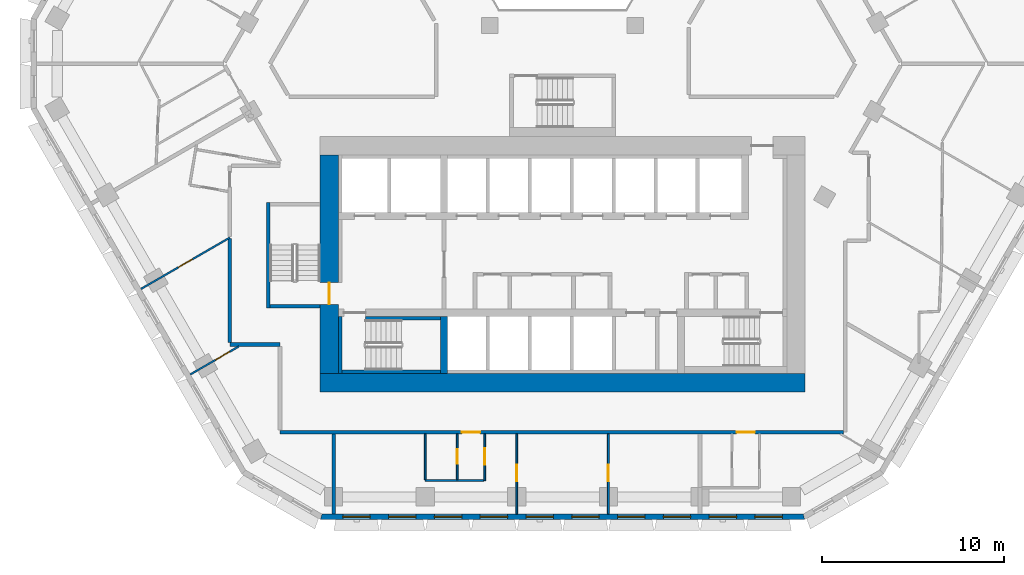
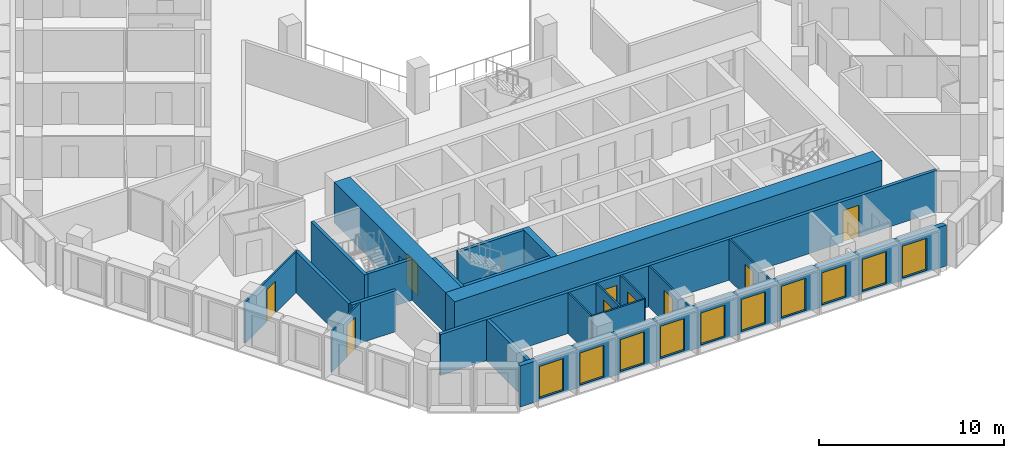
# One storey, part 3 of 18: 21 walls, 10 windows, 9 doors, 19 openings.
"""IFC4 building model written with IfcOpenShell, lengths in metres."""

from ifc_helpers import new_model, si_unit, direction, frame, frame_2d, origin, place, context, subcontext, project, spatial, polyline, rectangle, outline, extrude, material, layer, layer_set, type_object, element, fill, save


model = new_model("IFC4")

# Units and contexts
model_context = context("Model", 3, precision=1e-05, world=origin(), true_north=direction((0.0, 1.0)))
body_context = subcontext(model_context, "Body", "Model", "MODEL_VIEW")
ifc_project = project(units=[si_unit("LENGTHUNIT", "METRE"), si_unit("AREAUNIT", "SQUARE_METRE"), si_unit("VOLUMEUNIT", "CUBIC_METRE"), si_unit("PLANEANGLEUNIT", "RADIAN"), si_unit("MASSUNIT", "GRAM", prefix="KILO")], contexts=[model_context])

# Site, building, storey
site_placement = place(None, origin())
site = spatial("IfcSite", under=ifc_project, at=site_placement, CompositionType="ELEMENT")
building_placement = place(site_placement, origin())
building = spatial("IfcBuilding", under=site, at=building_placement, Name="Beryl Residences", CompositionType="ELEMENT")
storey_placement = place(building_placement, frame((0.0, 0.0, 93.0)))
storey = spatial("IfcBuildingStorey", under=building, at=storey_placement, Name="L28", CompositionType="ELEMENT", Elevation=93.0)

# Wall, openings, windows
ifc_material_1 = material(Name="Composite metal panel with mineral wool insulation")
ifc_layer_1 = layer(ifc_material_1, 0.300048828125)
ifc_layer_set_1 = layer_set([ifc_layer_1], Name="ES1 pale metal composite panel wall 300 mm")
wall_type_1 = type_object("IfcWallType", Name="ES1 pale metal composite panel wall 300 mm", PredefinedType="SOLIDWALL", material=ifc_layer_set_1)
wall_1_placement = place(storey_placement, frame((-13.279052734375, -25.85009765625, 0.0), z_axis=(0.0, 0.0, 1.0), x_axis=(1.0, 0.0, 0.0)))
wall_1 = element("IfcWall", 1, at=wall_1_placement, inside=storey, type_object=wall_type_1, Name="ES1 external wall L28 S", PredefinedType="SOLIDWALL", context=body_context, shape_type="SweptSolid", body=[
    extrude(outline(polyline([(0.0, -0.14990234375), (26.55810546875, -0.14990234375), (26.477783203125, 0.14990234375), (0.080322265625, 0.14990234375), (0.0, -0.14990234375)])), origin(), (0.0, 0.0, 1.0), 2.699951171875),
])
opening_1_placement = place(wall_1_placement, frame((1.22802734375, 0.0, 0.14990234375)))
opening_1 = element("IfcOpeningElement", 2, at=opening_1_placement, cuts=wall_1, Name="Opening W1", PredefinedType="OPENING", context=body_context, shape_type="SweptSolid", body=[
    extrude(rectangle(XDim=1.5, YDim=2.10009765625, at=frame_2d((0.75, 1.050048828125))), frame((0.0, 0.159912109375, 0.0), z_axis=(0.0, -1.0, 0.0), x_axis=(1.0, 0.0, 0.0)), (0.0, 0.0, 1.0), 0.320068359375),
])
opening_2_placement = place(wall_1_placement, frame((3.739013671875, 0.0, 0.14990234375)))
opening_2 = element("IfcOpeningElement", 3, at=opening_2_placement, cuts=wall_1, Name="Opening W1", PredefinedType="OPENING", context=body_context, shape_type="SweptSolid", body=[
    extrude(rectangle(XDim=1.5, YDim=2.10009765625, at=frame_2d((0.75, 1.050048828125))), frame((0.0, 0.159912109375, 0.0), z_axis=(0.0, -1.0, 0.0), x_axis=(1.0, 0.0, 0.0)), (0.0, 0.0, 1.0), 0.320068359375),
])
opening_3_placement = place(wall_1_placement, frame((6.2509765625, 0.0, 0.14990234375)))
opening_3 = element("IfcOpeningElement", 4, at=opening_3_placement, cuts=wall_1, Name="Opening W1", PredefinedType="OPENING", context=body_context, shape_type="SweptSolid", body=[
    extrude(rectangle(XDim=1.5, YDim=2.10009765625, at=frame_2d((0.75, 1.050048828125))), frame((0.0, 0.159912109375, 0.0), z_axis=(0.0, -1.0, 0.0), x_axis=(1.0, 0.0, 0.0)), (0.0, 0.0, 1.0), 0.320068359375),
])
opening_4_placement = place(wall_1_placement, frame((8.761962890625, 0.0, 0.14990234375)))
opening_4 = element("IfcOpeningElement", 5, at=opening_4_placement, cuts=wall_1, Name="Opening W1", PredefinedType="OPENING", context=body_context, shape_type="SweptSolid", body=[
    extrude(rectangle(XDim=1.5, YDim=2.10009765625, at=frame_2d((0.75, 1.050048828125))), frame((0.0, 0.159912109375, 0.0), z_axis=(0.0, -1.0, 0.0), x_axis=(1.0, 0.0, 0.0)), (0.0, 0.0, 1.0), 0.320068359375),
])
opening_5_placement = place(wall_1_placement, frame((11.27392578125, 0.0, 0.14990234375)))
opening_5 = element("IfcOpeningElement", 6, at=opening_5_placement, cuts=wall_1, Name="Opening W1", PredefinedType="OPENING", context=body_context, shape_type="SweptSolid", body=[
    extrude(rectangle(XDim=1.5, YDim=2.10009765625, at=frame_2d((0.75, 1.050048828125))), frame((0.0, 0.159912109375, 0.0), z_axis=(0.0, -1.0, 0.0), x_axis=(1.0, 0.0, 0.0)), (0.0, 0.0, 1.0), 0.320068359375),
])
opening_6_placement = place(wall_1_placement, frame((13.784912109375, 0.0, 0.14990234375)))
opening_6 = element("IfcOpeningElement", 7, at=opening_6_placement, cuts=wall_1, Name="Opening W1", PredefinedType="OPENING", context=body_context, shape_type="SweptSolid", body=[
    extrude(rectangle(XDim=1.5, YDim=2.10009765625, at=frame_2d((0.75, 1.050048828125))), frame((0.0, 0.159912109375, 0.0), z_axis=(0.0, -1.0, 0.0), x_axis=(1.0, 0.0, 0.0)), (0.0, 0.0, 1.0), 0.320068359375),
])
opening_7_placement = place(wall_1_placement, frame((16.297119140625, 0.0, 0.14990234375)))
opening_7 = element("IfcOpeningElement", 8, at=opening_7_placement, cuts=wall_1, Name="Opening W1", PredefinedType="OPENING", context=body_context, shape_type="SweptSolid", body=[
    extrude(rectangle(XDim=1.5, YDim=2.10009765625, at=frame_2d((0.75, 1.050048828125))), frame((0.0, 0.159912109375, 0.0), z_axis=(0.0, -1.0, 0.0), x_axis=(1.0, 0.0, 0.0)), (0.0, 0.0, 1.0), 0.320068359375),
])
opening_8_placement = place(wall_1_placement, frame((18.80810546875, 0.0, 0.14990234375)))
opening_8 = element("IfcOpeningElement", 9, at=opening_8_placement, cuts=wall_1, Name="Opening W1", PredefinedType="OPENING", context=body_context, shape_type="SweptSolid", body=[
    extrude(rectangle(XDim=1.5, YDim=2.10009765625, at=frame_2d((0.75, 1.050048828125))), frame((0.0, 0.159912109375, 0.0), z_axis=(0.0, -1.0, 0.0), x_axis=(1.0, 0.0, 0.0)), (0.0, 0.0, 1.0), 0.320068359375),
])
opening_9_placement = place(wall_1_placement, frame((21.320068359375, 0.0, 0.14990234375)))
opening_9 = element("IfcOpeningElement", 10, at=opening_9_placement, cuts=wall_1, Name="Opening W1", PredefinedType="OPENING", context=body_context, shape_type="SweptSolid", body=[
    extrude(rectangle(XDim=1.5, YDim=2.10009765625, at=frame_2d((0.75, 1.050048828125))), frame((0.0, 0.159912109375, 0.0), z_axis=(0.0, -1.0, 0.0), x_axis=(1.0, 0.0, 0.0)), (0.0, 0.0, 1.0), 0.320068359375),
])
opening_10_placement = place(wall_1_placement, frame((23.8310546875, 0.0, 0.14990234375)))
opening_10 = element("IfcOpeningElement", 11, at=opening_10_placement, cuts=wall_1, Name="Opening W1", PredefinedType="OPENING", context=body_context, shape_type="SweptSolid", body=[
    extrude(rectangle(XDim=1.5, YDim=2.10009765625, at=frame_2d((0.75, 1.050048828125))), frame((0.0, 0.159912109375, 0.0), z_axis=(0.0, -1.0, 0.0), x_axis=(1.0, 0.0, 0.0)), (0.0, 0.0, 1.0), 0.320068359375),
])
ifc_material_2 = material(Name="Aluminium and clear glass", Category="aluminium")
window_type = type_object("IfcWindowType", Name="W1 cell window 1500 x 2100 mm", PartitioningType="SINGLE_PANEL", PredefinedType="WINDOW", material=ifc_material_2)
window_1_placement = place(opening_1_placement, origin())
window_1 = element("IfcWindow", 12, at=window_1_placement, inside=storey, type_object=window_type, Name="W1 window L28 S 1", OverallHeight=2.10009765625, OverallWidth=1.5, PartitioningType="SINGLE_PANEL", PredefinedType="WINDOW", context=body_context, shape_type="SweptSolid", body=[
    extrude(rectangle(XDim=1.5, YDim=2.10009765625, at=frame_2d((0.75, 1.050048828125))), frame((0.0, 0.030029296875, 0.0), z_axis=(0.0, -1.0, 0.0), x_axis=(1.0, 0.0, 0.0)), (0.0, 0.0, 1.0), 0.06005859375),
])
fill(opening_1, window_1)
window_2_placement = place(opening_2_placement, origin())
window_2 = element("IfcWindow", 13, at=window_2_placement, inside=storey, type_object=window_type, Name="W1 window L28 S 2", OverallHeight=2.10009765625, OverallWidth=1.5, PartitioningType="SINGLE_PANEL", PredefinedType="WINDOW", context=body_context, shape_type="SweptSolid", body=[
    extrude(rectangle(XDim=1.5, YDim=2.10009765625, at=frame_2d((0.75, 1.050048828125))), frame((0.0, 0.030029296875, 0.0), z_axis=(0.0, -1.0, 0.0), x_axis=(1.0, 0.0, 0.0)), (0.0, 0.0, 1.0), 0.06005859375),
])
fill(opening_2, window_2)
window_3_placement = place(opening_3_placement, origin())
window_3 = element("IfcWindow", 14, at=window_3_placement, inside=storey, type_object=window_type, Name="W1 window L28 S 3", OverallHeight=2.10009765625, OverallWidth=1.5, PartitioningType="SINGLE_PANEL", PredefinedType="WINDOW", context=body_context, shape_type="SweptSolid", body=[
    extrude(rectangle(XDim=1.5, YDim=2.10009765625, at=frame_2d((0.75, 1.050048828125))), frame((0.0, 0.030029296875, 0.0), z_axis=(0.0, -1.0, 0.0), x_axis=(1.0, 0.0, 0.0)), (0.0, 0.0, 1.0), 0.06005859375),
])
fill(opening_3, window_3)
window_4_placement = place(opening_4_placement, origin())
window_4 = element("IfcWindow", 15, at=window_4_placement, inside=storey, type_object=window_type, Name="W1 window L28 S 4", OverallHeight=2.10009765625, OverallWidth=1.5, PartitioningType="SINGLE_PANEL", PredefinedType="WINDOW", context=body_context, shape_type="SweptSolid", body=[
    extrude(rectangle(XDim=1.5, YDim=2.10009765625, at=frame_2d((0.75, 1.050048828125))), frame((0.0, 0.030029296875, 0.0), z_axis=(0.0, -1.0, 0.0), x_axis=(1.0, 0.0, 0.0)), (0.0, 0.0, 1.0), 0.06005859375),
])
fill(opening_4, window_4)
window_5_placement = place(opening_5_placement, origin())
window_5 = element("IfcWindow", 16, at=window_5_placement, inside=storey, type_object=window_type, Name="W1 window L28 S 5", OverallHeight=2.10009765625, OverallWidth=1.5, PartitioningType="SINGLE_PANEL", PredefinedType="WINDOW", context=body_context, shape_type="SweptSolid", body=[
    extrude(rectangle(XDim=1.5, YDim=2.10009765625, at=frame_2d((0.75, 1.050048828125))), frame((0.0, 0.030029296875, 0.0), z_axis=(0.0, -1.0, 0.0), x_axis=(1.0, 0.0, 0.0)), (0.0, 0.0, 1.0), 0.06005859375),
])
fill(opening_5, window_5)
window_6_placement = place(opening_6_placement, origin())
window_6 = element("IfcWindow", 17, at=window_6_placement, inside=storey, type_object=window_type, Name="W1 window L28 S 6", OverallHeight=2.10009765625, OverallWidth=1.5, PartitioningType="SINGLE_PANEL", PredefinedType="WINDOW", context=body_context, shape_type="SweptSolid", body=[
    extrude(rectangle(XDim=1.5, YDim=2.10009765625, at=frame_2d((0.75, 1.050048828125))), frame((0.0, 0.030029296875, 0.0), z_axis=(0.0, -1.0, 0.0), x_axis=(1.0, 0.0, 0.0)), (0.0, 0.0, 1.0), 0.06005859375),
])
fill(opening_6, window_6)
window_7_placement = place(opening_7_placement, origin())
window_7 = element("IfcWindow", 18, at=window_7_placement, inside=storey, type_object=window_type, Name="W1 window L28 S 7", OverallHeight=2.10009765625, OverallWidth=1.5, PartitioningType="SINGLE_PANEL", PredefinedType="WINDOW", context=body_context, shape_type="SweptSolid", body=[
    extrude(rectangle(XDim=1.5, YDim=2.10009765625, at=frame_2d((0.75, 1.050048828125))), frame((0.0, 0.030029296875, 0.0), z_axis=(0.0, -1.0, 0.0), x_axis=(1.0, 0.0, 0.0)), (0.0, 0.0, 1.0), 0.06005859375),
])
fill(opening_7, window_7)
window_8_placement = place(opening_8_placement, origin())
window_8 = element("IfcWindow", 19, at=window_8_placement, inside=storey, type_object=window_type, Name="W1 window L28 S 8", OverallHeight=2.10009765625, OverallWidth=1.5, PartitioningType="SINGLE_PANEL", PredefinedType="WINDOW", context=body_context, shape_type="SweptSolid", body=[
    extrude(rectangle(XDim=1.5, YDim=2.10009765625, at=frame_2d((0.75, 1.050048828125))), frame((0.0, 0.030029296875, 0.0), z_axis=(0.0, -1.0, 0.0), x_axis=(1.0, 0.0, 0.0)), (0.0, 0.0, 1.0), 0.06005859375),
])
fill(opening_8, window_8)
window_9_placement = place(opening_9_placement, origin())
window_9 = element("IfcWindow", 20, at=window_9_placement, inside=storey, type_object=window_type, Name="W1 window L28 S 9", OverallHeight=2.10009765625, OverallWidth=1.5, PartitioningType="SINGLE_PANEL", PredefinedType="WINDOW", context=body_context, shape_type="SweptSolid", body=[
    extrude(rectangle(XDim=1.5, YDim=2.10009765625, at=frame_2d((0.75, 1.050048828125))), frame((0.0, 0.030029296875, 0.0), z_axis=(0.0, -1.0, 0.0), x_axis=(1.0, 0.0, 0.0)), (0.0, 0.0, 1.0), 0.06005859375),
])
fill(opening_9, window_9)
window_10_placement = place(opening_10_placement, origin())
window_10 = element("IfcWindow", 21, at=window_10_placement, inside=storey, type_object=window_type, Name="W1 window L28 S 10", OverallHeight=2.10009765625, OverallWidth=1.5, PartitioningType="SINGLE_PANEL", PredefinedType="WINDOW", context=body_context, shape_type="SweptSolid", body=[
    extrude(rectangle(XDim=1.5, YDim=2.10009765625, at=frame_2d((0.75, 1.050048828125))), frame((0.0, 0.030029296875, 0.0), z_axis=(0.0, -1.0, 0.0), x_axis=(1.0, 0.0, 0.0)), (0.0, 0.0, 1.0), 0.06005859375),
])
fill(opening_10, window_10)

# Wall
ifc_material_3 = material(Name="Gypsum board partition on steel studs", Category="steel")
ifc_layer_2 = layer(ifc_material_3, 0.10009765625)
ifc_layer_set_2 = layer_set([ifc_layer_2], Name="PT1 partition 100 mm gypsum board on steel studs")
wall_type_2 = type_object("IfcWallType", Name="PT1 partition 100 mm gypsum board on steel studs", PredefinedType="PARTITIONING", material=ifc_layer_set_2)
wall_2_placement = place(storey_placement, frame((-7.533935546875, -21.300048828125, 0.0), z_axis=(0.0, 0.0, 1.0), x_axis=(0.0, -1.0, 0.0)))
element("IfcWall", 22, at=wall_2_placement, inside=storey, type_object=wall_type_2, Name="Wall PT1 L28 009", PredefinedType="PARTITIONING", context=body_context, shape_type="SweptSolid", body=[
    extrude(rectangle(XDim=2.509033203125, YDim=0.10009765625, at=frame_2d((1.25439453125, 0.0))), origin(), (0.0, 0.0, 1.0), 2.699951171875),
])

# Wall, opening, door
wall_3_placement = place(storey_placement, frame((-2.510986328125, -21.300048828125, 0.0), z_axis=(0.0, 0.0, 1.0), x_axis=(0.0, -1.0, 0.0)))
wall_3 = element("IfcWall", 23, at=wall_3_placement, inside=storey, type_object=wall_type_2, Name="Wall PT1 L28 010", PredefinedType="PARTITIONING", context=body_context, shape_type="SweptSolid", body=[
    extrude(rectangle(XDim=4.39990234375, YDim=0.10009765625, at=frame_2d((2.199951171875, 0.0))), origin(), (0.0, 0.0, 1.0), 2.699951171875),
])
opening_11_placement = place(wall_3_placement, frame((1.699951171875, 0.0, 0.0)))
opening_11 = element("IfcOpeningElement", 24, at=opening_11_placement, cuts=wall_3, Name="Opening D0709", PredefinedType="OPENING", context=body_context, shape_type="SweptSolid", body=[
    extrude(rectangle(XDim=0.89990234375, YDim=2.10009765625, at=frame_2d((0.449951171875, 1.050048828125))), frame((0.0, 0.06005859375, 0.0), z_axis=(0.0, -1.0, 0.0), x_axis=(1.0, 0.0, 0.0)), (0.0, 0.0, 1.0), 0.1201171875),
])
ifc_material_4 = material(Name="Timber door leaf", Category="wood")
door_type_1 = type_object("IfcDoorType", Name="D2 room door 900 x 2100 mm", OperationType="SINGLE_SWING_LEFT", PredefinedType="DOOR", material=ifc_material_4)
door_1_placement = place(opening_11_placement, origin())
door_1 = element("IfcDoor", 25, at=door_1_placement, inside=storey, type_object=door_type_1, Name="Door D0709 L28 001", OperationType="SINGLE_SWING_LEFT", OverallHeight=2.10009765625, OverallWidth=0.89990234375, PredefinedType="DOOR", context=body_context, shape_type="SweptSolid", body=[
    extrude(rectangle(XDim=0.89990234375, YDim=2.10009765625, at=frame_2d((0.449951171875, 1.050048828125))), frame((0.0, 0.02490234375, 0.0), z_axis=(0.0, -1.0, 0.0), x_axis=(1.0, 0.0, 0.0)), (0.0, 0.0, 1.0), 0.050048828125),
])
fill(opening_11, door_1)

# Wall
wall_4_placement = place(storey_placement, frame((-7.532958984375, -23.860107421875, 0.0), z_axis=(0.0, 0.0, 1.0), x_axis=(1.0, 0.0, 0.0)))
element("IfcWall", 26, at=wall_4_placement, inside=storey, type_object=wall_type_2, Name="Wall PT1 L28 027", PredefinedType="PARTITIONING", context=body_context, shape_type="SweptSolid", body=[
    extrude(rectangle(XDim=3.212890625, YDim=0.10009765625, at=frame_2d((1.6064453125, 0.0))), origin(), (0.0, 0.0, 1.0), 2.699951171875),
])

# Wall, opening, door
wall_5_placement = place(storey_placement, frame((2.511962890625, -25.699951171875, 0.0), z_axis=(0.0, 0.0, 1.0), x_axis=(0.0, 1.0, 0.0)))
wall_5 = element("IfcWall", 27, at=wall_5_placement, inside=storey, type_object=wall_type_2, Name="Wall PT1 L28 044", PredefinedType="PARTITIONING", context=body_context, shape_type="SweptSolid", body=[
    extrude(rectangle(XDim=4.39990234375, YDim=0.10009765625, at=frame_2d((2.199951171875, 0.0))), origin(), (0.0, 0.0, 1.0), 2.699951171875),
])
opening_12_placement = place(wall_5_placement, frame((1.800048828125, 0.0, 0.0)))
opening_12 = element("IfcOpeningElement", 28, at=opening_12_placement, cuts=wall_5, Name="Opening D0710", PredefinedType="OPENING", context=body_context, shape_type="SweptSolid", body=[
    extrude(rectangle(XDim=0.89990234375, YDim=2.10009765625, at=frame_2d((0.449951171875, 1.050048828125))), frame((0.0, 0.06005859375, 0.0), z_axis=(0.0, -1.0, 0.0), x_axis=(1.0, 0.0, 0.0)), (0.0, 0.0, 1.0), 0.1201171875),
])
door_2_placement = place(opening_12_placement, origin())
door_2 = element("IfcDoor", 29, at=door_2_placement, inside=storey, type_object=door_type_1, Name="Door D0710 L28 001", OperationType="SINGLE_SWING_RIGHT", OverallHeight=2.10009765625, OverallWidth=0.89990234375, PredefinedType="DOOR", context=body_context, shape_type="SweptSolid", body=[
    extrude(rectangle(XDim=0.89990234375, YDim=2.10009765625, at=frame_2d((0.449951171875, 1.050048828125))), frame((0.0, 0.02490234375, 0.0), z_axis=(0.0, -1.0, 0.0), x_axis=(1.0, 0.0, 0.0)), (0.0, 0.0, 1.0), 0.050048828125),
])
fill(opening_12, door_2)

wall_6_placement = place(storey_placement, frame((-4.26904296875, -23.85888671875, 0.0), z_axis=(0.0, 0.0, 1.0), x_axis=(0.0, 1.0, 0.0)))
wall_6 = element("IfcWall", 30, at=wall_6_placement, inside=storey, type_object=wall_type_2, Name="Wall PT1 L28 047", PredefinedType="PARTITIONING", context=body_context, shape_type="SweptSolid", body=[
    extrude(rectangle(XDim=2.558837890625, YDim=0.10009765625, at=frame_2d((1.279296875, 0.0))), origin(), (0.0, 0.0, 1.0), 2.699951171875),
])
opening_13_placement = place(wall_6_placement, frame((0.87890625, 0.0, 0.0)))
opening_13 = element("IfcOpeningElement", 31, at=opening_13_placement, cuts=wall_6, Name="Opening D0707", PredefinedType="OPENING", context=body_context, shape_type="SweptSolid", body=[
    extrude(rectangle(XDim=0.89990234375, YDim=2.10009765625, at=frame_2d((0.449951171875, 1.050048828125))), frame((0.0, 0.06005859375, 0.0), z_axis=(0.0, -1.0, 0.0), x_axis=(1.0, 0.0, 0.0)), (0.0, 0.0, 1.0), 0.1201171875),
])
door_3_placement = place(opening_13_placement, origin())
door_3 = element("IfcDoor", 32, at=door_3_placement, inside=storey, type_object=door_type_1, Name="Door D0707 L28 001", OperationType="SINGLE_SWING_LEFT", OverallHeight=2.10009765625, OverallWidth=0.89990234375, PredefinedType="DOOR", context=body_context, shape_type="SweptSolid", body=[
    extrude(rectangle(XDim=0.89990234375, YDim=2.10009765625, at=frame_2d((0.449951171875, 1.050048828125))), frame((0.0, 0.02490234375, 0.0), z_axis=(0.0, -1.0, 0.0), x_axis=(1.0, 0.0, 0.0)), (0.0, 0.0, 1.0), 0.050048828125),
])
fill(opening_13, door_3)

wall_7_placement = place(storey_placement, frame((-5.77587890625, -23.81005859375, 0.0), z_axis=(0.0, 0.0, 1.0), x_axis=(0.0, 1.0, 0.0)))
wall_7 = element("IfcWall", 33, at=wall_7_placement, inside=storey, type_object=wall_type_2, Name="Wall PT1 L28 048", PredefinedType="PARTITIONING", context=body_context, shape_type="SweptSolid", body=[
    extrude(rectangle(XDim=2.510009765625, YDim=0.10009765625, at=frame_2d((1.2548828125, 0.0))), origin(), (0.0, 0.0, 1.0), 2.699951171875),
])
opening_14_placement = place(wall_7_placement, frame((0.8798828125, 0.0, 0.0)))
opening_14 = element("IfcOpeningElement", 34, at=opening_14_placement, cuts=wall_7, Name="Opening D0708", PredefinedType="OPENING", context=body_context, shape_type="SweptSolid", body=[
    extrude(rectangle(XDim=0.800048828125, YDim=2.10009765625, at=frame_2d((0.39990234375, 1.050048828125))), frame((0.0, 0.06005859375, 0.0), z_axis=(0.0, -1.0, 0.0), x_axis=(1.0, 0.0, 0.0)), (0.0, 0.0, 1.0), 0.1201171875),
])
ifc_material_5 = material(Name="Timber door leaf", Category="wood")
door_type_2 = type_object("IfcDoorType", Name="D3 bathroom door 800 x 2100 mm", OperationType="SINGLE_SWING_LEFT", PredefinedType="DOOR", material=ifc_material_5)
door_4_placement = place(opening_14_placement, origin())
door_4 = element("IfcDoor", 35, at=door_4_placement, inside=storey, type_object=door_type_2, Name="Door D0708 L28 001", OperationType="SINGLE_SWING_RIGHT", OverallHeight=2.10009765625, OverallWidth=0.800048828125, PredefinedType="DOOR", context=body_context, shape_type="SweptSolid", body=[
    extrude(rectangle(XDim=0.800048828125, YDim=2.10009765625, at=frame_2d((0.39990234375, 1.050048828125))), frame((0.0, 0.02490234375, 0.0), z_axis=(0.0, -1.0, 0.0), x_axis=(1.0, 0.0, 0.0)), (0.0, 0.0, 1.0), 0.050048828125),
])
fill(opening_14, door_4)

wall_8_placement = place(storey_placement, frame((-20.416015625, -18.0380859375, 0.0), z_axis=(0.0, 0.0, 1.0), x_axis=(0.866026989333, 0.499997253739, 0.0)))
wall_8 = element("IfcWall", 36, at=wall_8_placement, inside=storey, type_object=wall_type_2, Name="Wall PT1 L28 051", PredefinedType="PARTITIONING", context=body_context, shape_type="SweptSolid", body=[
    extrude(rectangle(XDim=3.076171875, YDim=0.10009765625, at=frame_2d((1.5380859375, 0.0))), origin(), (0.0, 0.0, 1.0), 2.699951171875),
])
opening_15_placement = place(wall_8_placement, frame((1.587890625, 0.0, 0.0)))
opening_15 = element("IfcOpeningElement", 37, at=opening_15_placement, cuts=wall_8, Name="Opening D0705", PredefinedType="OPENING", context=body_context, shape_type="SweptSolid", body=[
    extrude(rectangle(XDim=0.89990234375, YDim=2.10009765625, at=frame_2d((0.449951171875, 1.050048828125))), frame((0.0, 0.06005859375, 0.0), z_axis=(0.0, -1.0, 0.0), x_axis=(1.0, 0.0, 0.0)), (0.0, 0.0, 1.0), 0.1201171875),
])
door_5_placement = place(opening_15_placement, origin())
door_5 = element("IfcDoor", 38, at=door_5_placement, inside=storey, type_object=door_type_1, Name="Door D0705 L28 001", OperationType="SINGLE_SWING_LEFT", OverallHeight=2.10009765625, OverallWidth=0.89990234375, PredefinedType="DOOR", context=body_context, shape_type="SweptSolid", body=[
    extrude(rectangle(XDim=0.89990234375, YDim=2.10009765625, at=frame_2d((0.449951171875, 1.050048828125))), frame((0.0, 0.02490234375, 0.0), z_axis=(0.0, -1.0, 0.0), x_axis=(1.0, 0.0, 0.0)), (0.0, 0.0, 1.0), 0.050048828125),
])
fill(opening_15, door_5)

wall_9_placement = place(storey_placement, frame((-23.123046875, -13.35009765625, 0.0), z_axis=(0.0, 0.0, 1.0), x_axis=(0.86596737403, 0.500100497016, 0.0)))
wall_9 = element("IfcWall", 39, at=wall_9_placement, inside=storey, type_object=wall_type_2, Name="Wall PT1 L28 054", PredefinedType="PARTITIONING", context=body_context, shape_type="SweptSolid", body=[
    extrude(rectangle(XDim=5.627197265625, YDim=0.10009765625, at=frame_2d((2.8134765625, 0.0))), origin(), (0.0, 0.0, 1.0), 2.699951171875),
])
opening_16_placement = place(wall_9_placement, frame((2.363037109375, 0.0, 0.0)))
opening_16 = element("IfcOpeningElement", 40, at=opening_16_placement, cuts=wall_9, Name="Opening D0704", PredefinedType="OPENING", context=body_context, shape_type="SweptSolid", body=[
    extrude(rectangle(XDim=0.89990234375, YDim=2.10009765625, at=frame_2d((0.449951171875, 1.050048828125))), frame((0.0, 0.06005859375, 0.0), z_axis=(0.0, -1.0, 0.0), x_axis=(1.0, 0.0, 0.0)), (0.0, 0.0, 1.0), 0.1201171875),
])
door_6_placement = place(opening_16_placement, origin())
door_6 = element("IfcDoor", 41, at=door_6_placement, inside=storey, type_object=door_type_1, Name="Door D0704 L28 001", OperationType="SINGLE_SWING_RIGHT", OverallHeight=2.10009765625, OverallWidth=0.89990234375, PredefinedType="DOOR", context=body_context, shape_type="SweptSolid", body=[
    extrude(rectangle(XDim=0.89990234375, YDim=2.10009765625, at=frame_2d((0.449951171875, 1.050048828125))), frame((0.0, 0.02490234375, 0.0), z_axis=(0.0, -1.0, 0.0), x_axis=(1.0, 0.0, 0.0)), (0.0, 0.0, 1.0), 0.050048828125),
])
fill(opening_16, door_6)

# Walls
ifc_material_6 = material(Name="Acoustic double stud gypsum board wall")
ifc_layer_3 = layer(ifc_material_6, 0.199951171875)
ifc_layer_set_3 = layer_set([ifc_layer_3], Name="PT3 party wall 200 mm acoustic double stud")
wall_type_3 = type_object("IfcWallType", Name="PT3 party wall 200 mm acoustic double stud", PredefinedType="PARTITIONING", material=ifc_layer_set_3)
wall_10_placement = place(storey_placement, frame((-12.556884765625, -25.699951171875, 0.0), z_axis=(0.0, 0.0, 1.0), x_axis=(0.0, 1.0, 0.0)))
element("IfcWall", 42, at=wall_10_placement, inside=storey, type_object=wall_type_3, Name="Wall PT3 L28 016", PredefinedType="PARTITIONING", context=body_context, shape_type="SweptSolid", body=[
    extrude(rectangle(XDim=4.39990234375, YDim=0.199951171875, at=frame_2d((2.199951171875, 0.0))), origin(), (0.0, 0.0, 1.0), 2.699951171875),
])
ifc_material_7 = material(Name="Double stud gypsum board wall")
ifc_layer_4 = layer(ifc_material_7, 0.199951171875)
ifc_layer_set_4 = layer_set([ifc_layer_4], Name="PT4 corridor wall 200 mm double stud")
wall_type_4 = type_object("IfcWallType", Name="PT4 corridor wall 200 mm double stud", PredefinedType="PARTITIONING", material=ifc_layer_set_4)
wall_11_placement = place(storey_placement, frame((-18.25, -10.593994140625, 0.0), z_axis=(0.0, 0.0, 1.0), x_axis=(0.0, -1.0, 0.0)))
element("IfcWall", 43, at=wall_11_placement, inside=storey, type_object=wall_type_4, Name="Wall PT4 L28 009", PredefinedType="PARTITIONING", context=body_context, shape_type="SweptSolid", body=[
    extrude(rectangle(XDim=5.705078125, YDim=0.199951171875, at=frame_2d((2.8525390625, 0.0))), origin(), (0.0, 0.0, 1.0), 2.699951171875),
])
wall_12_placement = place(storey_placement, frame((-18.2490234375, -16.39990234375, 0.0), z_axis=(0.0, 0.0, 1.0), x_axis=(1.0, 0.0, 0.0)))
element("IfcWall", 44, at=wall_12_placement, inside=storey, type_object=wall_type_4, Name="Wall PT4 L28 015", PredefinedType="PARTITIONING", context=body_context, shape_type="SweptSolid", body=[
    extrude(rectangle(XDim=2.748046875, YDim=0.199951171875, at=frame_2d((1.3740234375, 0.0))), origin(), (0.0, 0.0, 1.0), 2.699951171875),
])

# Wall, openings, doors
wall_13_placement = place(storey_placement, frame((-15.4990234375, -21.199951171875, 0.0), z_axis=(0.0, 0.0, 1.0), x_axis=(1.0, 0.0, 0.0)))
wall_13 = element("IfcWall", 45, at=wall_13_placement, inside=storey, type_object=wall_type_4, Name="Wall PT4 L28 016", PredefinedType="PARTITIONING", context=body_context, shape_type="SweptSolid", body=[
    extrude(rectangle(XDim=30.89794921875, YDim=0.199951171875, at=frame_2d((15.448974609375, 0.0))), origin(), (0.0, 0.0, 1.0), 2.699951171875),
])
opening_17_placement = place(wall_13_placement, frame((9.97705078125, 0.0, 0.0)))
opening_17 = element("IfcOpeningElement", 46, at=opening_17_placement, cuts=wall_13, Name="Opening D0706", PredefinedType="OPENING", context=body_context, shape_type="SweptSolid", body=[
    extrude(rectangle(XDim=1.0, YDim=2.10009765625, at=frame_2d((0.5, 1.050048828125))), frame((0.0, 0.10986328125, 0.0), z_axis=(0.0, -1.0, 0.0), x_axis=(1.0, 0.0, 0.0)), (0.0, 0.0, 1.0), 0.219970703125),
])
opening_18_placement = place(wall_13_placement, frame((25.0458984375, 0.0, 0.0)))
opening_18 = element("IfcOpeningElement", 47, at=opening_18_placement, cuts=wall_13, Name="Opening D0711", PredefinedType="OPENING", context=body_context, shape_type="SweptSolid", body=[
    extrude(rectangle(XDim=1.0, YDim=2.10009765625, at=frame_2d((0.5, 1.050048828125))), frame((0.0, 0.10986328125, 0.0), z_axis=(0.0, -1.0, 0.0), x_axis=(1.0, 0.0, 0.0)), (0.0, 0.0, 1.0), 0.219970703125),
])
ifc_material_8 = material(Name="Timber door leaf", Category="wood")
door_type_3 = type_object("IfcDoorType", Name="D1 flat entrance door 1000 x 2100 mm", OperationType="SINGLE_SWING_LEFT", PredefinedType="DOOR", material=ifc_material_8)
door_7_placement = place(opening_17_placement, origin())
door_7 = element("IfcDoor", 48, at=door_7_placement, inside=storey, type_object=door_type_3, Name="Door D0706 L28 001", OperationType="SINGLE_SWING_RIGHT", OverallHeight=2.10009765625, OverallWidth=1.0, PredefinedType="DOOR", context=body_context, shape_type="SweptSolid", body=[
    extrude(rectangle(XDim=1.0, YDim=2.10009765625, at=frame_2d((0.5, 1.050048828125))), frame((0.0, 0.02490234375, 0.0), z_axis=(0.0, -1.0, 0.0), x_axis=(1.0, 0.0, 0.0)), (0.0, 0.0, 1.0), 0.050048828125),
])
fill(opening_17, door_7)
door_8_placement = place(opening_18_placement, origin())
door_8 = element("IfcDoor", 49, at=door_8_placement, inside=storey, type_object=door_type_3, Name="Door D0711 L28 001", OperationType="SINGLE_SWING_LEFT", OverallHeight=2.10009765625, OverallWidth=1.0, PredefinedType="DOOR", context=body_context, shape_type="SweptSolid", body=[
    extrude(rectangle(XDim=1.0, YDim=2.10009765625, at=frame_2d((0.5, 1.050048828125))), frame((0.0, 0.02490234375, 0.0), z_axis=(0.0, -1.0, 0.0), x_axis=(1.0, 0.0, 0.0)), (0.0, 0.0, 1.0), 0.050048828125),
])
fill(opening_18, door_8)

# Walls
ifc_material_9 = material(Name="Concrete C40/50", Category="concrete")
ifc_layer_5 = layer(ifc_material_9, 0.199951171875)
ifc_layer_set_5 = layer_set([ifc_layer_5], Name="PT5 stair enclosure wall 200 mm reinforced concrete C40/50")
wall_type_5 = type_object("IfcWallType", Name="PT5 stair enclosure wall 200 mm reinforced concrete C40/50", PredefinedType="SOLIDWALL", material=ifc_layer_set_5)
wall_14_placement = place(storey_placement, frame((-16.14990234375, -14.39990234375, 0.0), z_axis=(0.0, 0.0, 1.0), x_axis=(0.0, 1.0, 0.0)))
element("IfcWall", 50, at=wall_14_placement, inside=storey, type_object=wall_type_5, Name="Stair wall 01", PredefinedType="SOLIDWALL", context=body_context, shape_type="SweptSolid", body=[
    extrude(rectangle(XDim=5.7998046875, YDim=0.199951171875, at=frame_2d((2.89990234375, 0.0))), origin(), (0.0, 0.0, 1.0), 2.699951171875),
])
wall_15_placement = place(storey_placement, frame((-16.050048828125, -14.300048828125, 0.0), z_axis=(0.0, 0.0, 1.0), x_axis=(1.0, 0.0, 0.0)))
element("IfcWall", 51, at=wall_15_placement, inside=storey, type_object=wall_type_5, Name="Stair wall 02", PredefinedType="SOLIDWALL", context=body_context, shape_type="SweptSolid", body=[
    extrude(rectangle(XDim=2.75, YDim=0.199951171875, at=frame_2d((1.375, 0.0))), origin(), (0.0, 0.0, 1.0), 2.699951171875),
])
wall_16_placement = place(storey_placement, frame((-12.199951171875, -18.0, 0.0), z_axis=(0.0, 0.0, 1.0), x_axis=(0.0, 1.0, 0.0)))
element("IfcWall", 52, at=wall_16_placement, inside=storey, type_object=wall_type_5, Name="Stair wall 04", PredefinedType="SOLIDWALL", context=body_context, shape_type="SweptSolid", body=[
    extrude(rectangle(XDim=3.14990234375, YDim=0.199951171875, at=frame_2d((1.574951171875, 0.0))), origin(), (0.0, 0.0, 1.0), 2.699951171875),
])
wall_17_placement = place(storey_placement, frame((-12.10009765625, -17.89990234375, 0.0), z_axis=(0.0, 0.0, 1.0), x_axis=(1.0, 0.0, 0.0)))
element("IfcWall", 53, at=wall_17_placement, inside=storey, type_object=wall_type_5, Name="Stair wall 07", PredefinedType="SOLIDWALL", context=body_context, shape_type="SweptSolid", body=[
    extrude(rectangle(XDim=5.400146484375, YDim=0.199951171875, at=frame_2d((2.7001953125, 0.0))), origin(), (0.0, 0.0, 1.0), 2.699951171875),
])
wall_18_placement = place(storey_placement, frame((-10.800048828125, -14.949951171875, 0.0), z_axis=(0.0, 0.0, 1.0), x_axis=(1.0, 0.0, 0.0)))
element("IfcWall", 54, at=wall_18_placement, inside=storey, type_object=wall_type_5, Name="Stair wall 09", PredefinedType="SOLIDWALL", context=body_context, shape_type="SweptSolid", body=[
    extrude(rectangle(XDim=4.10009765625, YDim=0.199951171875, at=frame_2d((2.050048828125, 0.0))), origin(), (0.0, 0.0, 1.0), 2.699951171875),
])
ifc_material_10 = material(Name="Concrete C70/85", Category="concrete")
ifc_layer_6 = layer(ifc_material_10, 1.0)
ifc_layer_set_6 = layer_set([ifc_layer_6], Name="SW2 core outer wall 1000 mm C70/85")
wall_type_6 = type_object("IfcWallType", Name="SW2 core outer wall 1000 mm C70/85", PredefinedType="SHEAR", material=ifc_layer_set_6)
wall_19_placement = place(storey_placement, frame((-13.300048828125, -18.5, 0.0), z_axis=(0.0, 0.0, 1.0), x_axis=(1.0, 0.0, 0.0)))
element("IfcWall", 55, at=wall_19_placement, inside=storey, type_object=wall_type_6, Name="Core wall S L28", PredefinedType="SHEAR", context=body_context, shape_type="SweptSolid", body=[
    extrude(rectangle(XDim=26.60009765625, YDim=1.0, at=frame_2d((13.300048828125, 0.0))), origin(), (0.0, 0.0, 1.0), 2.699951171875),
])

# Wall, opening, door
wall_20_placement = place(storey_placement, frame((-12.800048828125, -18.0, 0.0), z_axis=(0.0, 0.0, 1.0), x_axis=(0.0, 1.0, 0.0)))
wall_20 = element("IfcWall", 56, at=wall_20_placement, inside=storey, type_object=wall_type_6, Name="Core wall W L28", PredefinedType="SHEAR", context=body_context, shape_type="SweptSolid", body=[
    extrude(rectangle(XDim=12.0, YDim=1.0, at=frame_2d((6.0, 0.0))), origin(), (0.0, 0.0, 1.0), 2.699951171875),
])
opening_19_placement = place(wall_20_placement, frame((3.800048828125, 0.0, 0.0)))
opening_19 = element("IfcOpeningElement", 57, at=opening_19_placement, cuts=wall_20, Name="Opening SD-2", PredefinedType="OPENING", context=body_context, shape_type="SweptSolid", body=[
    extrude(rectangle(XDim=1.199951171875, YDim=2.10009765625, at=frame_2d((0.60009765625, 1.050048828125))), frame((0.0, 0.510009765625, 0.0), z_axis=(0.0, -1.0, 0.0), x_axis=(1.0, 0.0, 0.0)), (0.0, 0.0, 1.0), 1.02001953125),
])
ifc_material_11 = material(Name="Steel door leaf in steel frame", Category="steel")
door_type_4 = type_object("IfcDoorType", Name="D4 stair door 1200 x 2100 mm", OperationType="SINGLE_SWING_LEFT", PredefinedType="DOOR", material=ifc_material_11)
door_9_placement = place(opening_19_placement, origin())
door_9 = element("IfcDoor", 58, at=door_9_placement, inside=storey, type_object=door_type_4, Name="Door SD-2 L28 001", OperationType="SINGLE_SWING_RIGHT", OverallHeight=2.10009765625, OverallWidth=1.199951171875, PredefinedType="DOOR", context=body_context, shape_type="SweptSolid", body=[
    extrude(rectangle(XDim=1.199951171875, YDim=2.10009765625, at=frame_2d((0.60009765625, 1.050048828125))), frame((0.0, 0.02490234375, 0.0), z_axis=(0.0, -1.0, 0.0), x_axis=(1.0, 0.0, 0.0)), (0.0, 0.0, 1.0), 0.050048828125),
])
fill(opening_19, door_9)

# Wall
ifc_material_12 = material(Name="Concrete C70/85", Category="concrete")
ifc_layer_7 = layer(ifc_material_12, 0.39990234375)
ifc_layer_set_7 = layer_set([ifc_layer_7], Name="SW7 core internal wall 400 mm C70/85")
wall_type_7 = type_object("IfcWallType", Name="SW7 core internal wall 400 mm C70/85", PredefinedType="SHEAR", material=ifc_layer_set_7)
wall_21_placement = place(storey_placement, frame((-6.5, -18.0, 0.0), z_axis=(0.0, 0.0, 1.0), x_axis=(0.0, 1.0, 0.0)))
element("IfcWall", 59, at=wall_21_placement, inside=storey, type_object=wall_type_7, Name="Core wall XS1 L28", PredefinedType="SHEAR", context=body_context, shape_type="SweptSolid", body=[
    extrude(rectangle(XDim=3.14990234375, YDim=0.39990234375, at=frame_2d((1.574951171875, 0.0))), origin(), (0.0, 0.0, 1.0), 2.699951171875),
])

save(model, "model.ifc")
